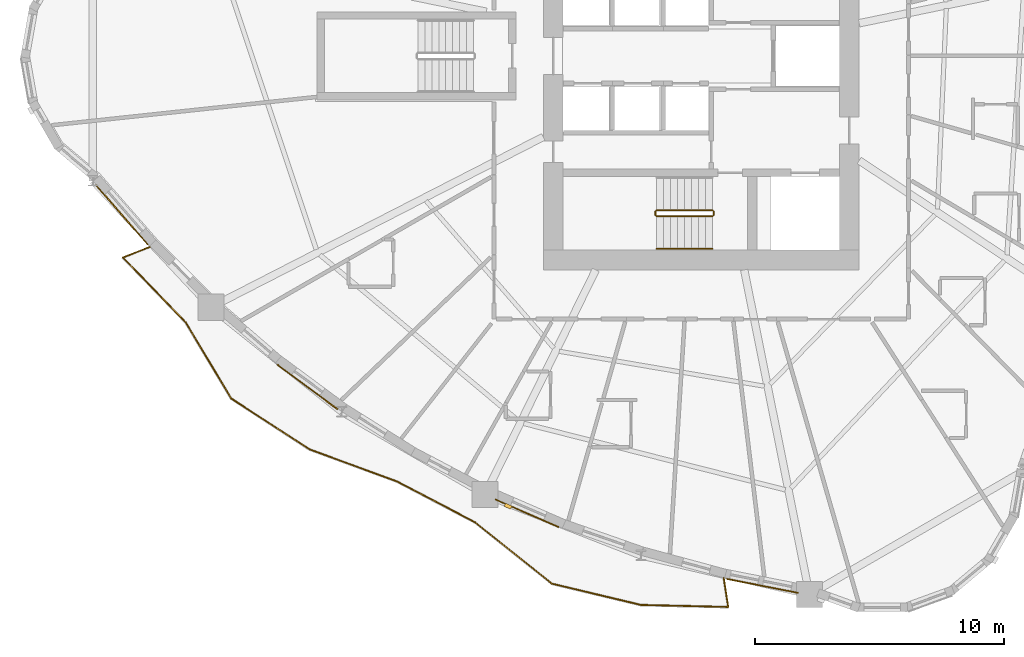
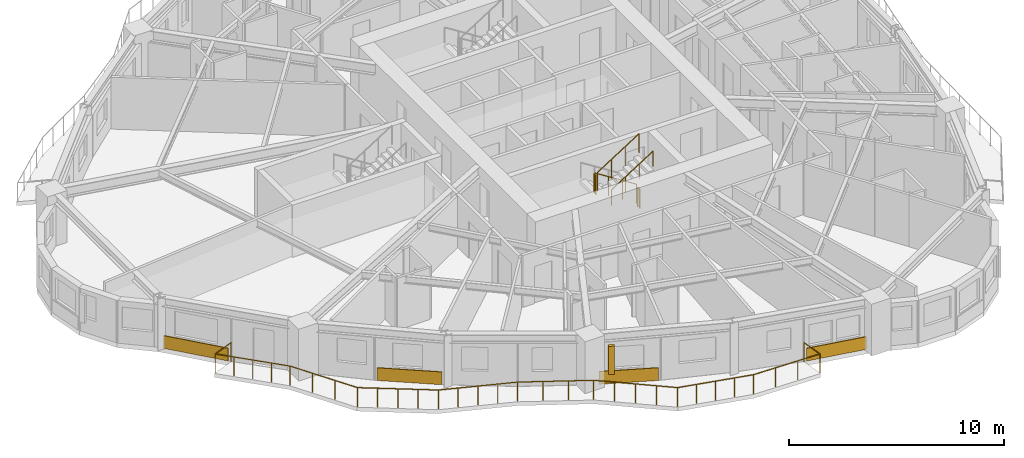
# One storey, part 11 of 14: 6 railings, 4 coverings, 1 shading device.
"""IFC4 building model written with IfcOpenShell, lengths in metres."""

from ifc_helpers import new_model, si_unit, direction, frame, origin, origin_2d, place, context, subcontext, project, spatial, rectangle, circle, extrude, source, transform, mapped, material, layer, layer_set, type_object, element, save


model = new_model("IFC4")

# Units and contexts
model_context = context("Model", 3, precision=1e-05, world=origin(), true_north=direction((0.0, 1.0)))
body_context = subcontext(model_context, "Body", "Model", "MODEL_VIEW")
ifc_project = project(units=[si_unit("LENGTHUNIT", "METRE"), si_unit("AREAUNIT", "SQUARE_METRE"), si_unit("VOLUMEUNIT", "CUBIC_METRE"), si_unit("PLANEANGLEUNIT", "RADIAN"), si_unit("MASSUNIT", "GRAM", prefix="KILO")], contexts=[model_context])

# Site, building, storey
site_placement = place(None, origin())
site = spatial("IfcSite", under=ifc_project, at=site_placement, CompositionType="ELEMENT")
building_placement = place(site_placement, origin())
building = spatial("IfcBuilding", under=site, at=building_placement, Name="Qafzar Sky-Pleat Residences", CompositionType="ELEMENT")
storey_placement = place(building_placement, frame((0.0, 0.0, 11.0)))
storey = spatial("IfcBuildingStorey", under=building, at=storey_placement, Name="L02", CompositionType="ELEMENT", Elevation=11.0)

# Railing
ifc_material_1 = material(Name="Laminated glass and bronze steel balustrade", Category="steel")
railing_type_1 = type_object("IfcRailingType", Name="RAIL-BAL-1100", PredefinedType="BALUSTRADE", material=ifc_material_1)
shared_shape_1 = source(origin(), body_context, "Body", "SweptSolid", [
    extrude(circle(Radius=0.02392578125, at=origin_2d()), frame((0.0, 0.0, 1.076171875), z_axis=(-0.932396945822, -0.361435935433, 0.0), x_axis=(0.361435935433, -0.932396945822, 0.0)), (0.0, 0.0, 1.0), 1.177978515625),
    extrude(circle(Radius=0.02392578125, at=origin_2d()), frame((-1.098388671875, -0.42578125, 1.076171875), z_axis=(0.696193259118, -0.717854404429, 0.0), x_axis=(0.717854404429, 0.696193259118, 0.0)), (0.0, 0.0, 1.0), 3.617919921875),
    extrude(circle(Radius=0.02392578125, at=origin_2d()), frame((1.42041015625, -3.02294921875, 1.076171875), z_axis=(0.513402147312, -0.858148142884, 0.0), x_axis=(0.858148142884, 0.513402147312, 0.0)), (0.0, 0.0, 1.0), 3.579833984375),
    extrude(circle(Radius=0.02392578125, at=origin_2d()), frame((3.25830078125, -6.094970703125, 1.076171875), z_axis=(0.838915696155, -0.54426138458, 0.0), x_axis=(0.54426138458, 0.838915696155, 0.0)), (0.0, 0.0, 1.0), 3.7666015625),
    extrude(circle(Radius=0.02392578125, at=origin_2d()), frame((6.418212890625, -8.14501953125, 1.076171875), z_axis=(0.939112047286, -0.343611063038, 0.0), x_axis=(0.343611063038, 0.939112047286, 0.0)), (0.0, 0.0, 1.0), 3.734375),
    extrude(circle(Radius=0.02392578125, at=origin_2d()), frame((9.92529296875, -9.42822265625, 1.076171875), z_axis=(0.885811284561, -0.464045653082, 0.0), x_axis=(0.464045653082, 0.885811284561, 0.0)), (0.0, 0.0, 1.0), 3.539794921875),
    extrude(circle(Radius=0.02392578125, at=origin_2d()), frame((13.060791015625, -11.07080078125, 1.076171875), z_axis=(0.781266830032, -0.624197196639, 0.0), x_axis=(0.624197196639, 0.781266830032, 0.0)), (0.0, 0.0, 1.0), 3.947998046875),
    extrude(circle(Radius=0.02392578125, at=origin_2d()), frame((16.145263671875, -13.53515625, 1.076171875), z_axis=(0.972537745746, -0.232745210689, 0.0), x_axis=(0.232745210689, 0.972537745746, 0.0)), (0.0, 0.0, 1.0), 3.677734375),
    extrude(circle(Radius=0.02392578125, at=origin_2d()), frame((19.721923828125, -14.39111328125, 1.076171875), z_axis=(0.999723990131, -0.023493479014, 0.0), x_axis=(0.023493479014, 0.999723990131, 0.0)), (0.0, 0.0, 1.0), 3.512451171875),
    extrude(circle(Radius=0.02392578125, at=origin_2d()), frame((23.2333984375, -14.4736328125, 1.076171875), z_axis=(-0.153162858633, 0.988200960704, 0.0), x_axis=(-0.988200960704, -0.153162858633, 0.0)), (0.0, 0.0, 1.0), 1.177978515625),
    extrude(circle(Radius=0.02099609375, at=origin_2d()), origin(), (0.0, 0.0, 1.0), 1.052001953125),
    extrude(circle(Radius=0.02099609375, at=origin_2d()), frame((-1.098388671875, -0.42578125, 0.0)), (0.0, 0.0, 1.0), 1.052001953125),
    extrude(circle(Radius=0.02099609375, at=origin_2d()), frame((-0.46875, -1.0751953125, 0.0)), (0.0, 0.0, 1.0), 1.052001953125),
    extrude(circle(Radius=0.02099609375, at=origin_2d()), frame((0.1611328125, -1.724365234375, 0.0)), (0.0, 0.0, 1.0), 1.052001953125),
    extrude(circle(Radius=0.02099609375, at=origin_2d()), frame((0.790771484375, -2.37353515625, 0.0)), (0.0, 0.0, 1.0), 1.052001953125),
    extrude(circle(Radius=0.02099609375, at=origin_2d()), frame((1.42041015625, -3.02294921875, 0.0)), (0.0, 0.0, 1.0), 1.052001953125),
    extrude(circle(Radius=0.02099609375, at=origin_2d()), frame((2.032958984375, -4.046875, 0.0)), (0.0, 0.0, 1.0), 1.052001953125),
    extrude(circle(Radius=0.02099609375, at=origin_2d()), frame((2.645751953125, -5.071044921875, 0.0)), (0.0, 0.0, 1.0), 1.052001953125),
    extrude(circle(Radius=0.02099609375, at=origin_2d()), frame((3.25830078125, -6.094970703125, 0.0)), (0.0, 0.0, 1.0), 1.052001953125),
    extrude(circle(Radius=0.02099609375, at=origin_2d()), frame((4.04833984375, -6.607421875, 0.0)), (0.0, 0.0, 1.0), 1.052001953125),
    extrude(circle(Radius=0.02099609375, at=origin_2d()), frame((4.83837890625, -7.1201171875, 0.0)), (0.0, 0.0, 1.0), 1.052001953125),
    extrude(circle(Radius=0.02099609375, at=origin_2d()), frame((5.628173828125, -7.632568359375, 0.0)), (0.0, 0.0, 1.0), 1.052001953125),
    extrude(circle(Radius=0.02099609375, at=origin_2d()), frame((6.418212890625, -8.14501953125, 0.0)), (0.0, 0.0, 1.0), 1.052001953125),
    extrude(circle(Radius=0.02099609375, at=origin_2d()), frame((7.294921875, -8.4658203125, 0.0)), (0.0, 0.0, 1.0), 1.052001953125),
    extrude(circle(Radius=0.02099609375, at=origin_2d()), frame((8.171875, -8.78662109375, 0.0)), (0.0, 0.0, 1.0), 1.052001953125),
    extrude(circle(Radius=0.02099609375, at=origin_2d()), frame((9.048583984375, -9.107421875, 0.0)), (0.0, 0.0, 1.0), 1.052001953125),
    extrude(circle(Radius=0.02099609375, at=origin_2d()), frame((9.92529296875, -9.42822265625, 0.0)), (0.0, 0.0, 1.0), 1.052001953125),
    extrude(circle(Radius=0.02099609375, at=origin_2d()), frame((10.970458984375, -9.975830078125, 0.0)), (0.0, 0.0, 1.0), 1.052001953125),
    extrude(circle(Radius=0.02099609375, at=origin_2d()), frame((12.015625, -10.523193359375, 0.0)), (0.0, 0.0, 1.0), 1.052001953125),
    extrude(circle(Radius=0.02099609375, at=origin_2d()), frame((13.060791015625, -11.07080078125, 0.0)), (0.0, 0.0, 1.0), 1.052001953125),
    extrude(circle(Radius=0.02099609375, at=origin_2d()), frame((13.83203125, -11.68701171875, 0.0)), (0.0, 0.0, 1.0), 1.052001953125),
    extrude(circle(Radius=0.02099609375, at=origin_2d()), frame((14.60302734375, -12.302978515625, 0.0)), (0.0, 0.0, 1.0), 1.052001953125),
    extrude(circle(Radius=0.02099609375, at=origin_2d()), frame((15.3740234375, -12.9189453125, 0.0)), (0.0, 0.0, 1.0), 1.052001953125),
    extrude(circle(Radius=0.02099609375, at=origin_2d()), frame((16.145263671875, -13.53515625, 0.0)), (0.0, 0.0, 1.0), 1.052001953125),
    extrude(circle(Radius=0.02099609375, at=origin_2d()), frame((17.03955078125, -13.7490234375, 0.0)), (0.0, 0.0, 1.0), 1.052001953125),
    extrude(circle(Radius=0.02099609375, at=origin_2d()), frame((17.93359375, -13.963134765625, 0.0)), (0.0, 0.0, 1.0), 1.052001953125),
    extrude(circle(Radius=0.02099609375, at=origin_2d()), frame((18.82763671875, -14.17724609375, 0.0)), (0.0, 0.0, 1.0), 1.052001953125),
    extrude(circle(Radius=0.02099609375, at=origin_2d()), frame((19.721923828125, -14.39111328125, 0.0)), (0.0, 0.0, 1.0), 1.052001953125),
    extrude(circle(Radius=0.02099609375, at=origin_2d()), frame((20.892333984375, -14.418701171875, 0.0)), (0.0, 0.0, 1.0), 1.052001953125),
    extrude(circle(Radius=0.02099609375, at=origin_2d()), frame((22.06298828125, -14.446044921875, 0.0)), (0.0, 0.0, 1.0), 1.052001953125),
    extrude(circle(Radius=0.02099609375, at=origin_2d()), frame((23.2333984375, -14.4736328125, 0.0)), (0.0, 0.0, 1.0), 1.052001953125),
    extrude(circle(Radius=0.02099609375, at=origin_2d()), frame((23.052978515625, -13.3095703125, 0.0)), (0.0, 0.0, 1.0), 1.052001953125),
])
railing_1_placement = place(storey_placement, frame((8.2001953125, 18.324951171875, 0.0)))
element("IfcRailing", 1, at=railing_1_placement, inside=storey, type_object=railing_type_1, Name="L02 Pleated Balcony 3 Balustrade", PredefinedType="BALUSTRADE", context=body_context, shape_type="MappedRepresentation", body=[
    mapped(shared_shape_1, transform((0.0, 0.0, 0.0), x_axis=(1.0, 0.0, 0.0), y_axis=(0.0, 1.0, 0.0), z_axis=(0.0, 0.0, 1.0), scale=1.0)),
])

# Shading device
ifc_material_2 = material(Name="Honed Riyadh limestone solar fin", Category="masonry")
ifc_layer_1 = layer(ifc_material_2, 0.139892578125)
ifc_layer_set_1 = layer_set([ifc_layer_1], Name="Honed Riyadh limestone solar fin")
shading_device_type = type_object("IfcShadingDeviceType", Name="SHD-FIN-STONE", PredefinedType="SHUTTER", material=ifc_layer_set_1)
shared_shape_2 = source(origin(), body_context, "Body", "SweptSolid", [
    extrude(rectangle(XDim=0.139892578125, YDim=0.280029296875, at=origin_2d()), origin(), (0.0, 0.0, 1.0), 1.60009765625),
])
shading_device_placement = place(storey_placement, frame((22.584716796875, 7.902587890625, 0.599853515625), z_axis=(0.0, 0.0, 1.0), x_axis=(-0.398709724071, -0.917077181011, 0.0)))
element("IfcShadingDevice", 2, at=shading_device_placement, inside=storey, type_object=shading_device_type, Name="L02 Limestone Solar Fin 13", PredefinedType="SHUTTER", context=body_context, shape_type="MappedRepresentation", body=[
    mapped(shared_shape_2, transform((0.0, 0.0, 0.0), x_axis=(1.0, 0.0, 0.0), y_axis=(0.0, 1.0, 0.0), z_axis=(0.0, 0.0, 1.0), scale=1.0)),
])

# Coverings
ifc_material_3 = material(Name="Honed Riyadh Tuwaiq limestone cladding", Category="masonry")
ifc_layer_2 = layer(ifc_material_3, 0.044921875)
ifc_layer_set_2 = layer_set([ifc_layer_2], Name="Honed Riyadh Tuwaiq limestone cladding")
covering_type = type_object("IfcCoveringType", Name="COV-CLAD-STONE", PredefinedType="CLADDING", material=ifc_layer_set_2)
shared_shape_3 = source(origin(), body_context, "Body", "SweptSolid", [
    extrude(rectangle(XDim=3.179443359375, YDim=0.044921875, at=origin_2d()), origin(), (0.0, 0.0, 1.0), 0.719970703125),
])
covering_1_placement = place(storey_placement, frame((7.05810546875, 19.616943359375, 0.02001953125), z_axis=(0.0, 0.0, 1.0), x_axis=(0.657616339803, -0.753353004656, 0.0)))
element("IfcCovering", 3, at=covering_1_placement, inside=storey, type_object=covering_type, Name="L02 Riyadh Limestone Spandrel Cladding 7", PredefinedType="CLADDING", context=body_context, shape_type="MappedRepresentation", body=[
    mapped(shared_shape_3, transform((0.0, 0.0, 0.0), x_axis=(1.0, 0.0, 0.0), y_axis=(0.0, 1.0, 0.0), z_axis=(0.0, 0.0, 1.0), scale=1.0)),
])
shared_shape_4 = source(origin(), body_context, "Body", "SweptSolid", [
    extrude(rectangle(XDim=3.028564453125, YDim=0.044921875, at=origin_2d()), origin(), (0.0, 0.0, 1.0), 0.719970703125),
])
covering_2_placement = place(storey_placement, frame((14.52197265625, 12.694580078125, 0.02001953125), z_axis=(0.0, 0.0, 1.0), x_axis=(0.803817173959, -0.594876416451, 0.0)))
element("IfcCovering", 4, at=covering_2_placement, inside=storey, type_object=covering_type, Name="L02 Riyadh Limestone Spandrel Cladding 10", PredefinedType="CLADDING", context=body_context, shape_type="MappedRepresentation", body=[
    mapped(shared_shape_4, transform((0.0, 0.0, 0.0), x_axis=(1.0, 0.0, 0.0), y_axis=(0.0, 1.0, 0.0), z_axis=(0.0, 0.0, 1.0), scale=1.0)),
])
shared_shape_5 = source(origin(), body_context, "Body", "SweptSolid", [
    extrude(rectangle(XDim=2.776611328125, YDim=0.044921875, at=origin_2d()), origin(), (0.0, 0.0, 1.0), 0.719970703125),
])
covering_3_placement = place(storey_placement, frame((23.344482421875, 7.619140625, 0.02001953125), z_axis=(0.0, 0.0, 1.0), x_axis=(0.917068510251, -0.398729667201, 0.0)))
element("IfcCovering", 5, at=covering_3_placement, inside=storey, type_object=covering_type, Name="L02 Riyadh Limestone Spandrel Cladding 13", PredefinedType="CLADDING", context=body_context, shape_type="MappedRepresentation", body=[
    mapped(shared_shape_5, transform((0.0, 0.0, 0.0), x_axis=(1.0, 0.0, 0.0), y_axis=(0.0, 1.0, 0.0), z_axis=(0.0, 0.0, 1.0), scale=1.0)),
])
shared_shape_6 = source(origin(), body_context, "Body", "SweptSolid", [
    extrude(rectangle(XDim=2.927490234375, YDim=0.044921875, at=origin_2d()), origin(), (0.0, 0.0, 1.0), 0.719970703125),
])
covering_4_placement = place(storey_placement, frame((32.8056640625, 4.69921875, 0.02001953125), z_axis=(0.0, 0.0, 1.0), x_axis=(0.981232618994, -0.192827766212, 0.0)))
element("IfcCovering", 6, at=covering_4_placement, inside=storey, type_object=covering_type, Name="L02 Riyadh Limestone Spandrel Cladding 16", PredefinedType="CLADDING", context=body_context, shape_type="MappedRepresentation", body=[
    mapped(shared_shape_6, transform((0.0, 0.0, 0.0), x_axis=(1.0, 0.0, 0.0), y_axis=(0.0, 1.0, 0.0), z_axis=(0.0, 0.0, 1.0), scale=1.0)),
])

# Railings
ifc_material_4 = material(Name="Painted Steel S355 stair guardrail", Category="steel")
railing_type_2 = type_object("IfcRailingType", Name="RAIL-STAIR-GUARD", PredefinedType="GUARDRAIL", material=ifc_material_4)
shared_shape_7 = source(origin(), body_context, "Body", "SweptSolid", [
    extrude(circle(Radius=0.02392578125, at=origin_2d()), frame((0.0, 0.0, 1.076171875), z_axis=(0.0, -1.0, 0.0), x_axis=(1.0, 0.0, 0.0)), (0.0, 0.0, 1.0), 0.14990234375),
    extrude(circle(Radius=0.02099609375, at=origin_2d()), origin(), (0.0, 0.0, 1.0), 1.052001953125),
    extrude(circle(Radius=0.02099609375, at=origin_2d()), frame((0.0, -0.14990234375, 0.0)), (0.0, 0.0, 1.0), 1.052001953125),
])
for number, where, name in (
    (7, (28.510009765625, 19.75, 1.60009765625), "L02 ST1 stair guard 2"),
    (8, (30.85009765625, 19.75, 0.0), "L02 ST1 stair guard 4"),
):
    element("IfcRailing", number, at=place(storey_placement, frame(where)), inside=storey, type_object=railing_type_2, Name=name, PredefinedType="GUARDRAIL", context=body_context, shape_type="MappedRepresentation", body=[
        mapped(shared_shape_7, transform((0.0, 0.0, 0.0), x_axis=(1.0, 0.0, 0.0), y_axis=(0.0, 1.0, 0.0), z_axis=(0.0, 0.0, 1.0), scale=1.0)),
    ])
shared_shape_8 = source(origin(), body_context, "Body", "SweptSolid", [
    extrude(circle(Radius=0.02392578125, at=origin_2d()), frame((0.0, 0.0, 1.076171875), z_axis=(0.8442293374, 0.0, 0.53598211339), x_axis=(0.0, 1.0, 0.0)), (0.0, 0.0, 1.0), 2.6533203125),
    extrude(circle(Radius=0.02099609375, at=origin_2d()), origin(), (0.0, 0.0, 1.0), 1.052001953125),
    extrude(circle(Radius=0.02099609375, at=origin_2d()), frame((0.74658203125, 0.0, 0.47412109375)), (0.0, 0.0, 1.0), 1.052001953125),
    extrude(circle(Radius=0.02099609375, at=origin_2d()), frame((1.493408203125, 0.0, 0.947998046875)), (0.0, 0.0, 1.0), 1.052001953125),
    extrude(circle(Radius=0.02099609375, at=origin_2d()), frame((2.239990234375, 0.0, 1.422119140625)), (0.0, 0.0, 1.0), 1.052001953125),
])
railing_2_placement = place(storey_placement, frame((28.56005859375, 19.550048828125, 1.77783203125)))
element("IfcRailing", 9, at=railing_2_placement, inside=storey, type_object=railing_type_2, Name="L02 ST1 stair guard 3", PredefinedType="GUARDRAIL", context=body_context, shape_type="MappedRepresentation", body=[
    mapped(shared_shape_8, transform((0.0, 0.0, 0.0), x_axis=(1.0, 0.0, 0.0), y_axis=(0.0, 1.0, 0.0), z_axis=(0.0, 0.0, 1.0), scale=1.0)),
])
ifc_material_5 = material(Name="Brushed stainless steel handrail", Category="steel")
railing_type_3 = type_object("IfcRailingType", Name="RAIL-STAIR-HAND", PredefinedType="HANDRAIL", material=ifc_material_5)
shared_shape_9 = source(origin(), body_context, "Body", "SweptSolid", [
    extrude(circle(Radius=0.02392578125, at=origin_2d()), frame((0.0, 0.0, 0.8759765625), z_axis=(0.8442293374, 0.0, 0.53598211339), x_axis=(0.0, 1.0, 0.0)), (0.0, 0.0, 1.0), 2.6533203125),
    extrude(circle(Radius=0.02099609375, at=origin_2d()), origin(), (0.0, 0.0, 1.0), 0.851806640625),
    extrude(circle(Radius=0.02099609375, at=origin_2d()), frame((0.74658203125, 0.0, 0.47412109375)), (0.0, 0.0, 1.0), 0.851806640625),
    extrude(circle(Radius=0.02099609375, at=origin_2d()), frame((1.493408203125, 0.0, 0.947998046875)), (0.0, 0.0, 1.0), 0.851806640625),
    extrude(circle(Radius=0.02099609375, at=origin_2d()), frame((2.239990234375, 0.0, 1.422119140625)), (0.0, 0.0, 1.0), 0.851806640625),
])
railing_3_placement = place(storey_placement, frame((28.56005859375, 18.25, 1.77783203125)))
element("IfcRailing", 10, at=railing_3_placement, inside=storey, type_object=railing_type_3, Name="L02 ST1 stair handrail 2", PredefinedType="HANDRAIL", context=body_context, shape_type="MappedRepresentation", body=[
    mapped(shared_shape_9, transform((0.0, 0.0, 0.0), x_axis=(1.0, 0.0, 0.0), y_axis=(0.0, 1.0, 0.0), z_axis=(0.0, 0.0, 1.0), scale=1.0)),
])
shared_shape_10 = source(origin(), body_context, "Body", "SweptSolid", [
    extrude(circle(Radius=0.02392578125, at=origin_2d()), frame((0.0, 0.0, 1.076171875), z_axis=(-0.84418770128, 0.0, 0.536047689118), x_axis=(0.0, -1.0, 0.0)), (0.0, 0.0, 1.0), 2.6533203125),
    extrude(circle(Radius=0.02099609375, at=origin_2d()), origin(), (0.0, 0.0, 1.0), 1.052001953125),
    extrude(circle(Radius=0.02099609375, at=origin_2d()), frame((-0.74658203125, 0.0, 0.47412109375)), (0.0, 0.0, 1.0), 1.052001953125),
    extrude(circle(Radius=0.02099609375, at=origin_2d()), frame((-1.493408203125, 0.0, 0.9482421875)), (0.0, 0.0, 1.0), 1.052001953125),
    extrude(circle(Radius=0.02099609375, at=origin_2d()), frame((-2.239990234375, 0.0, 1.42236328125)), (0.0, 0.0, 1.0), 1.052001953125),
])
railing_4_placement = place(storey_placement, frame((30.800048828125, 19.800048828125, 0.177734375)))
element("IfcRailing", 11, at=railing_4_placement, inside=storey, type_object=railing_type_2, Name="L02 ST1 stair guard 1", PredefinedType="GUARDRAIL", context=body_context, shape_type="MappedRepresentation", body=[
    mapped(shared_shape_10, transform((0.0, 0.0, 0.0), x_axis=(1.0, 0.0, 0.0), y_axis=(0.0, 1.0, 0.0), z_axis=(0.0, 0.0, 1.0), scale=1.0)),
])

save(model, "model.ifc")
